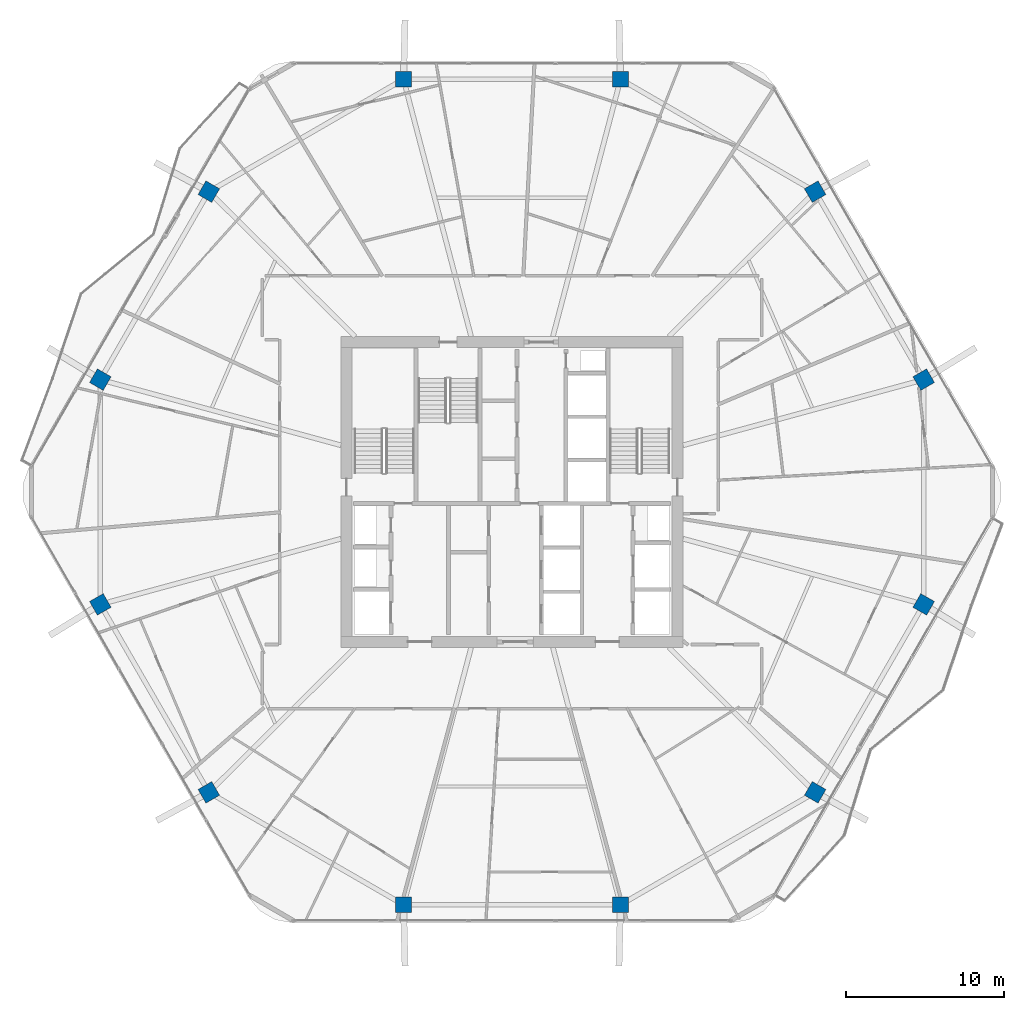
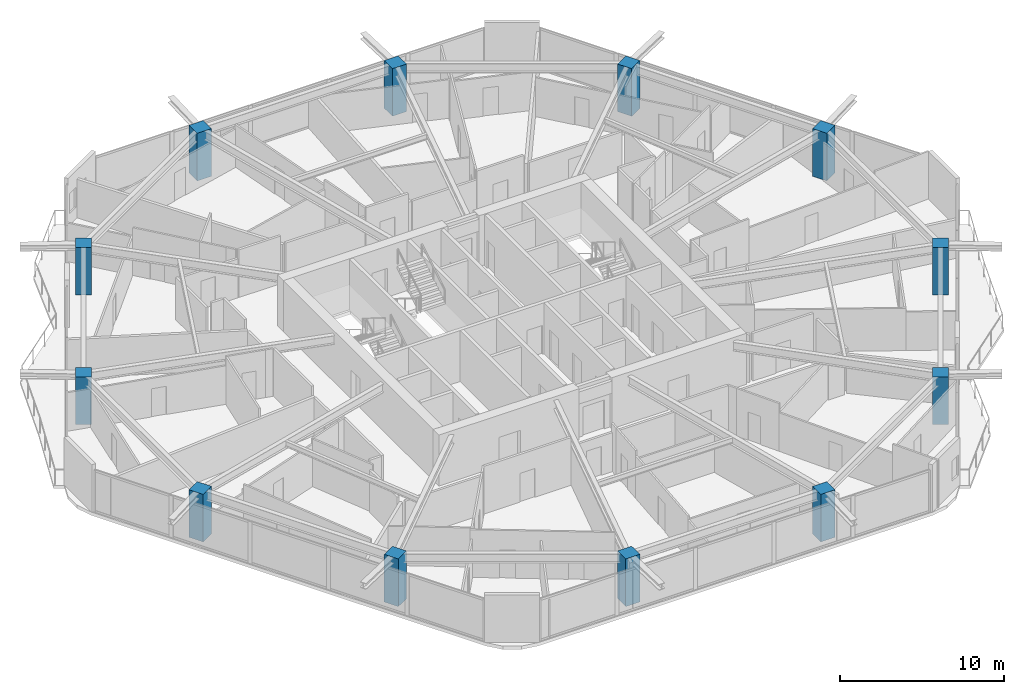
# One storey, part 1 of 26: 12 columns.
"""IFC4 building model written with IfcOpenShell, lengths in metres."""

from ifc_helpers import new_model, si_unit, direction, frame, origin, origin_2d, place, context, subcontext, project, spatial, rectangle, extrude, material, material_profile, profile_set, type_object, element, save


model = new_model("IFC4")

# Units and contexts
model_context = context("Model", 3, precision=1e-05, world=origin(), true_north=direction((0.0, 1.0)))
body_context = subcontext(model_context, "Body", "Model", "MODEL_VIEW")
ifc_project = project(units=[si_unit("LENGTHUNIT", "METRE"), si_unit("AREAUNIT", "SQUARE_METRE"), si_unit("VOLUMEUNIT", "CUBIC_METRE"), si_unit("PLANEANGLEUNIT", "RADIAN"), si_unit("MASSUNIT", "GRAM", prefix="KILO")], contexts=[model_context])

# Site, building, storey
site_placement = place(None, origin())
site = spatial("IfcSite", under=ifc_project, at=site_placement, CompositionType="ELEMENT")
building_placement = place(site_placement, origin())
building = spatial("IfcBuilding", under=site, at=building_placement, Name="Zuhravey Tower", CompositionType="ELEMENT")
storey_placement = place(building_placement, frame((0.0, 0.0, 165.60009765625)))
storey = spatial("IfcBuildingStorey", under=building, at=storey_placement, Name="L41", CompositionType="ELEMENT", Elevation=165.60009765625)

# Columns
ifc_material = material(Name="Concrete C60/75", Category="concrete")
ifc_material_profile = material_profile(ifc_material, rectangle(XDim=1.0, YDim=1.0, at=origin_2d()), Name="RC-1000x1000")
ifc_profile_set = profile_set([ifc_material_profile], Name="Concrete C60/75")
column_type = type_object("IfcColumnType", Name="Zone 2 Perimeter Column 1000x1000", PredefinedType="COLUMN", material=ifc_profile_set)
for number, where, z_axis, x_axis, name in (
    (1, (62.107666015625, 39.12646484375, 0.0), (0.0, 0.0, 1.0), (-0.5, 0.866025403784, 0.0), "L41 Perimeter Column PC01"),
    (2, (55.2255859375, 51.046630859375, 0.0), (0.0, 0.0, 1.0), (-0.5, 0.866025403784, 0.0), "L41 Perimeter Column PC02"),
    (3, (42.882080078125, 58.173095703125, 0.0), (0.0, 0.0, 1.0), (-1.0, 0.0, 0.0), "L41 Perimeter Column PC03"),
    (4, (29.117919921875, 58.173095703125, 0.0), (0.0, 0.0, 1.0), (-1.0, 0.0, 0.0), "L41 Perimeter Column PC04"),
    (5, (16.7744140625, 51.046630859375, 0.0), (0.0, 0.0, 1.0), (-0.5, -0.866025403784, 0.0), "L41 Perimeter Column PC05"),
    (6, (9.892333984375, 39.12646484375, 0.0), (0.0, 0.0, 1.0), (-0.5, -0.866025403784, 0.0), "L41 Perimeter Column PC06"),
    (7, (9.892333984375, 24.87353515625, 0.0), (0.0, 0.0, 1.0), (0.5, -0.866025403784, 0.0), "L41 Perimeter Column PC07"),
    (8, (16.7744140625, 12.953369140625, 0.0), (0.0, 0.0, 1.0), (0.5, -0.866025403784, 0.0), "L41 Perimeter Column PC08"),
    (9, (29.117919921875, 5.826904296875, 0.0), (0.0, 0.0, 1.0), (1.0, 0.0, 0.0), "L41 Perimeter Column PC09"),
    (10, (42.882080078125, 5.826904296875, 0.0), (0.0, 0.0, 1.0), (1.0, 0.0, 0.0), "L41 Perimeter Column PC10"),
    (11, (55.2255859375, 12.953369140625, 0.0), (0.0, 0.0, 1.0), (0.5, 0.866025403784, 0.0), "L41 Perimeter Column PC11"),
    (12, (62.107666015625, 24.87353515625, 0.0), (0.0, 0.0, 1.0), (0.5, 0.866025403784, 0.0), "L41 Perimeter Column PC12"),
):
    element("IfcColumn", number, at=place(storey_placement, frame(where, z_axis=z_axis, x_axis=x_axis)), inside=storey, type_object=column_type, Name=name, PredefinedType="COLUMN", context=body_context, shape_type="SweptSolid", body=[
        extrude(rectangle(XDim=1.0, YDim=1.0, at=origin_2d()), origin(), (0.0, 0.0, 1.0), 3.5498046875),
    ])

save(model, "model.ifc")
